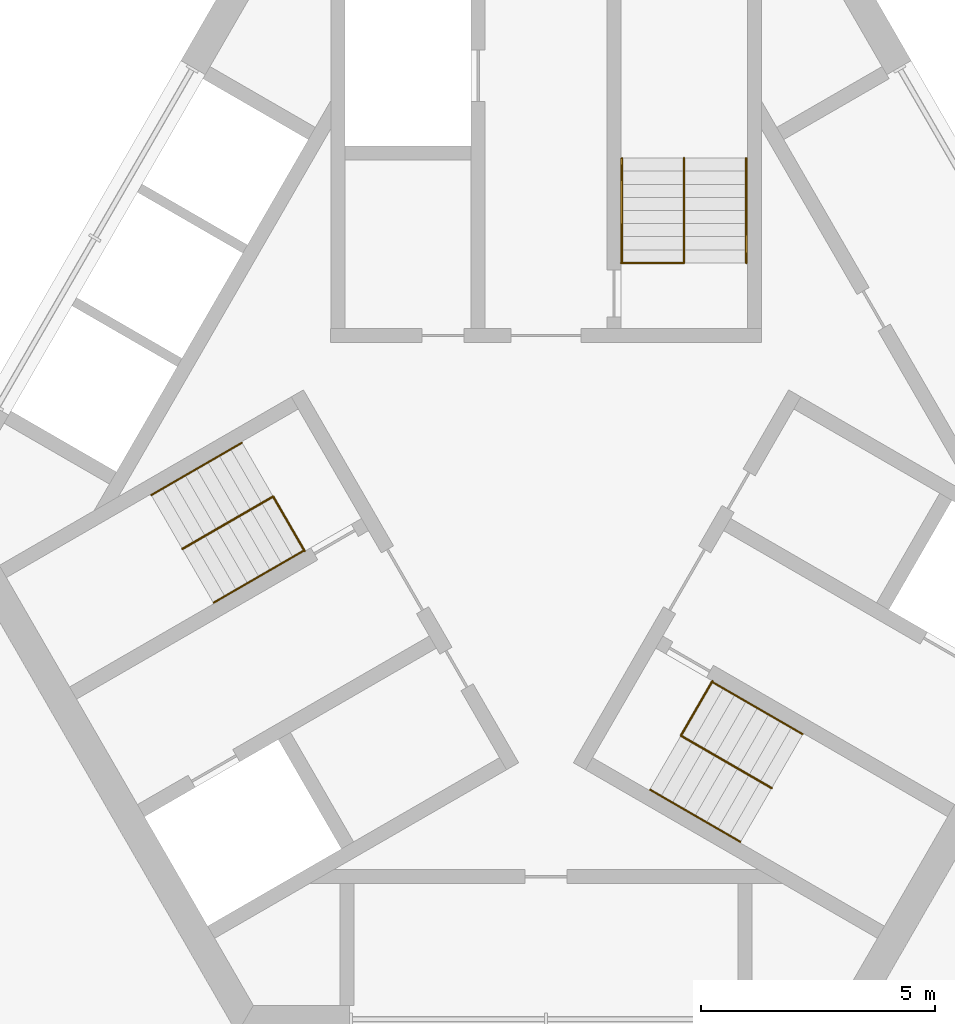
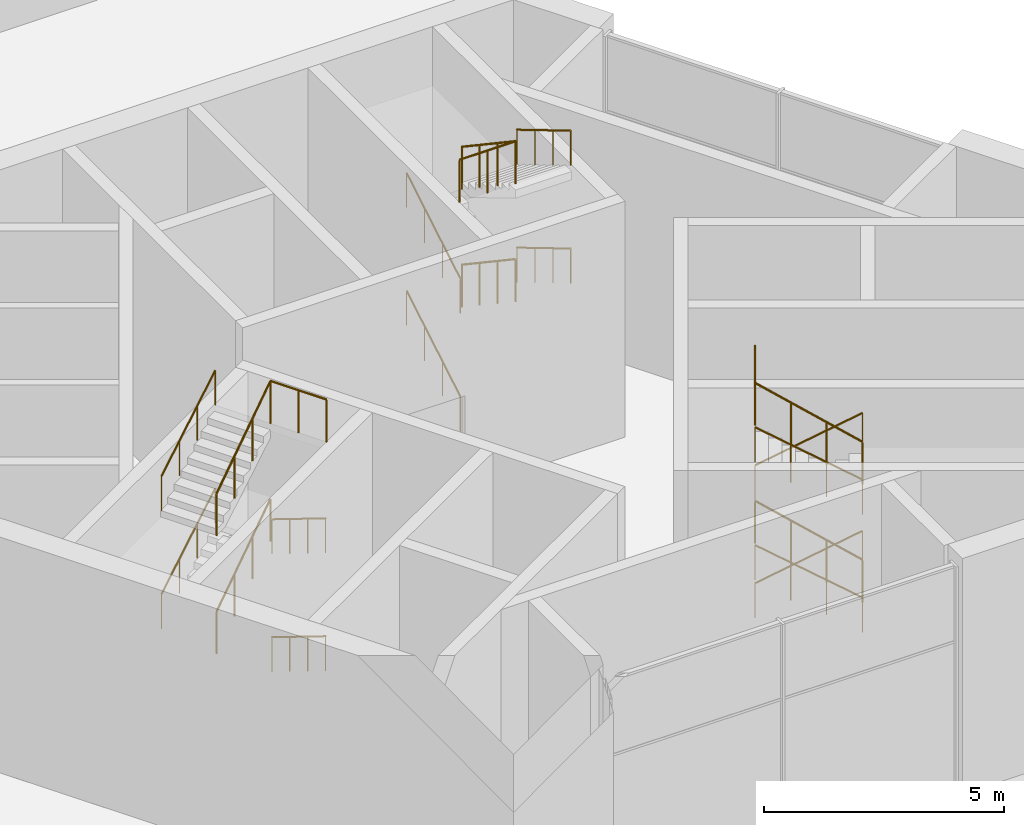
# One storey, part 5 of 5: 21 railings.
"""IFC4 building model written with IfcOpenShell, lengths in metres."""

from ifc_helpers import new_model, si_unit, direction, frame, origin, origin_2d, place, context, subcontext, project, spatial, circle, extrude, material, type_object, element, save


model = new_model("IFC4")

# Units and contexts
model_context = context("Model", 3, precision=1e-05, world=origin(), true_north=direction((0.0, 1.0)))
body_context = subcontext(model_context, "Body", "Model", "MODEL_VIEW")
ifc_project = project(units=[si_unit("LENGTHUNIT", "METRE"), si_unit("AREAUNIT", "SQUARE_METRE"), si_unit("VOLUMEUNIT", "CUBIC_METRE"), si_unit("PLANEANGLEUNIT", "RADIAN"), si_unit("MASSUNIT", "GRAM", prefix="KILO")], contexts=[model_context])

# Site, building, storey
site_placement = place(None, origin())
site = spatial("IfcSite", under=ifc_project, at=site_placement, CompositionType="ELEMENT")
building_placement = place(site_placement, origin())
building = spatial("IfcBuilding", under=site, at=building_placement, Name="Impinga Residences", CompositionType="ELEMENT")
storey_placement = place(building_placement, frame((0.0, 0.0, 295.75)))
storey = spatial("IfcBuildingStorey", under=building, at=storey_placement, Name="L74", CompositionType="ELEMENT", Elevation=295.75)

# Railings
ifc_material_1 = material(Name="Steel guard, powder coated", Category="steel")
railing_type_1 = type_object("IfcRailingType", Name="GR1 stair guard 1100", PredefinedType="GUARDRAIL", material=ifc_material_1)
for number, where, name in (
    (1, (2.949951171875, 7.27001953125, 1.5), "Stair guard GR1 ST1 L74"),
    (2, (2.949951171875, 7.27001953125, 4.5), "Stair guard GR1 ST1 L74"),
):
    element("IfcRailing", number, at=place(storey_placement, frame(where)), inside=storey, type_object=railing_type_1, Name=name, PredefinedType="GUARDRAIL", context=body_context, shape_type="SweptSolid", body=[
        extrude(circle(Radius=0.02392578125, at=origin_2d()), frame((0.0, 0.0, 1.076171875), z_axis=(0.0, -0.830906055479, 0.556412730775), x_axis=(1.0, 0.0, 0.0)), (0.0, 0.0, 1.0), 2.69580078125),
        extrude(circle(Radius=0.02099609375, at=origin_2d()), origin(), (0.0, 0.0, 1.0), 1.052001953125),
        extrude(circle(Radius=0.02099609375, at=origin_2d()), frame((0.0, -0.74658203125, 0.5)), (0.0, 0.0, 1.0), 1.052001953125),
        extrude(circle(Radius=0.02099609375, at=origin_2d()), frame((0.0, -1.493408203125, 1.0)), (0.0, 0.0, 1.0), 1.052001953125),
        extrude(circle(Radius=0.02099609375, at=origin_2d()), frame((0.0, -2.239990234375, 1.5)), (0.0, 0.0, 1.0), 1.052001953125),
    ])
railing_1_placement = place(storey_placement, frame((1.60009765625, 5.030029296875, 6.0)))
element("IfcRailing", 3, at=railing_1_placement, inside=storey, type_object=railing_type_1, Name="Stair guard GR1 ST1 top landing L74", PredefinedType="GUARDRAIL", context=body_context, shape_type="SweptSolid", body=[
    extrude(circle(Radius=0.02392578125, at=origin_2d()), frame((0.0, 0.0, 1.076171875), z_axis=(1.0, 0.0, 0.0), x_axis=(0.0, 1.0, 0.0)), (0.0, 0.0, 1.0), 1.349853515625),
    extrude(circle(Radius=0.02099609375, at=origin_2d()), origin(), (0.0, 0.0, 1.0), 1.052001953125),
    extrude(circle(Radius=0.02099609375, at=origin_2d()), frame((0.6748046875, 0.0, 0.0)), (0.0, 0.0, 1.0), 1.052001953125),
    extrude(circle(Radius=0.02099609375, at=origin_2d()), frame((1.349853515625, 0.0, 0.0)), (0.0, 0.0, 1.0), 1.052001953125),
])
for number, where, name in (
    (4, (-7.77099609375, -1.080322265625, 1.5), "Stair guard GR1 ST2 L74"),
    (5, (-7.77099609375, -1.080322265625, 4.5), "Stair guard GR1 ST2 L74"),
):
    element("IfcRailing", number, at=place(storey_placement, frame(where)), inside=storey, type_object=railing_type_1, Name=name, PredefinedType="GUARDRAIL", context=body_context, shape_type="SweptSolid", body=[
        extrude(circle(Radius=0.02392578125, at=origin_2d()), frame((0.0, 0.0, 1.076171875), z_axis=(0.719581687532, 0.415484618978, 0.556394398212), x_axis=(-0.500030632641, 0.866007717299, 0.0)), (0.0, 0.0, 1.0), 2.696044921875),
        extrude(circle(Radius=0.02099609375, at=origin_2d()), origin(), (0.0, 0.0, 1.0), 1.052001953125),
        extrude(circle(Radius=0.02099609375, at=origin_2d()), frame((0.646728515625, 0.373291015625, 0.5)), (0.0, 0.0, 1.0), 1.052001953125),
        extrude(circle(Radius=0.02099609375, at=origin_2d()), frame((1.293212890625, 0.746826171875, 1.0)), (0.0, 0.0, 1.0), 1.052001953125),
        extrude(circle(Radius=0.02099609375, at=origin_2d()), frame((1.93994140625, 1.1201171875, 1.5)), (0.0, 0.0, 1.0), 1.052001953125),
    ])
railing_2_placement = place(storey_placement, frame((-5.156005859375, -1.12939453125, 6.0)))
element("IfcRailing", 6, at=railing_2_placement, inside=storey, type_object=railing_type_1, Name="Stair guard GR1 ST2 top landing L74", PredefinedType="GUARDRAIL", context=body_context, shape_type="SweptSolid", body=[
    extrude(circle(Radius=0.02392578125, at=origin_2d()), frame((0.0, 0.0, 1.076171875), z_axis=(-0.50000943426, 0.866019956843, 0.0), x_axis=(-0.866019956843, -0.50000943426, 0.0)), (0.0, 0.0, 1.0), 1.35009765625),
    extrude(circle(Radius=0.02099609375, at=origin_2d()), origin(), (0.0, 0.0, 1.0), 1.052001953125),
    extrude(circle(Radius=0.02099609375, at=origin_2d()), frame((-0.33740234375, 0.58447265625, 0.0)), (0.0, 0.0, 1.0), 1.052001953125),
    extrude(circle(Radius=0.02099609375, at=origin_2d()), frame((-0.675048828125, 1.169189453125, 0.0)), (0.0, 0.0, 1.0), 1.052001953125),
])
for number, where, name in (
    (7, (4.821044921875, -6.189697265625, 1.5), "Stair guard GR1 ST3 L74"),
    (8, (4.821044921875, -6.189697265625, 4.5), "Stair guard GR1 ST3 L74"),
):
    element("IfcRailing", number, at=place(storey_placement, frame(where)), inside=storey, type_object=railing_type_1, Name=name, PredefinedType="GUARDRAIL", context=body_context, shape_type="SweptSolid", body=[
        extrude(circle(Radius=0.02392578125, at=origin_2d()), frame((0.0, 0.0, 1.076171875), z_axis=(-0.719608760992, 0.415409688733, 0.556415331933), x_axis=(-0.49994888933, -0.866054910533, 0.0)), (0.0, 0.0, 1.0), 2.69580078125),
        extrude(circle(Radius=0.02099609375, at=origin_2d()), origin(), (0.0, 0.0, 1.0), 1.052001953125),
        extrude(circle(Radius=0.02099609375, at=origin_2d()), frame((-0.646728515625, 0.373291015625, 0.5)), (0.0, 0.0, 1.0), 1.052001953125),
        extrude(circle(Radius=0.02099609375, at=origin_2d()), frame((-1.293212890625, 0.74658203125, 1.0)), (0.0, 0.0, 1.0), 1.052001953125),
        extrude(circle(Radius=0.02099609375, at=origin_2d()), frame((-1.93994140625, 1.119873046875, 1.5)), (0.0, 0.0, 1.0), 1.052001953125),
    ])
railing_3_placement = place(storey_placement, frame((3.55615234375, -3.900634765625, 6.0)))
element("IfcRailing", 9, at=railing_3_placement, inside=storey, type_object=railing_type_1, Name="Stair guard GR1 ST3 top landing L74", PredefinedType="GUARDRAIL", context=body_context, shape_type="SweptSolid", body=[
    extrude(circle(Radius=0.02392578125, at=origin_2d()), frame((0.0, 0.0, 1.076171875), z_axis=(-0.50000943426, -0.866019956843, 0.0), x_axis=(0.866019956843, -0.50000943426, 0.0)), (0.0, 0.0, 1.0), 1.35009765625),
    extrude(circle(Radius=0.02099609375, at=origin_2d()), origin(), (0.0, 0.0, 1.0), 1.052001953125),
    extrude(circle(Radius=0.02099609375, at=origin_2d()), frame((-0.33740234375, -0.58447265625, 0.0)), (0.0, 0.0, 1.0), 1.052001953125),
    extrude(circle(Radius=0.02099609375, at=origin_2d()), frame((-0.675048828125, -1.169189453125, 0.0)), (0.0, 0.0, 1.0), 1.052001953125),
])
ifc_material_2 = material(Name="Steel handrail tube 42 mm, powder coated", Category="steel")
railing_type_2 = type_object("IfcRailingType", Name="HR1 stair handrail, 42 mm steel tube, 900 above the pitch line", PredefinedType="HANDRAIL", material=ifc_material_2)
railing_4_placement = place(storey_placement, frame((1.62109375, 5.030029296875, 0.166748046875)))
element("IfcRailing", 10, at=railing_4_placement, inside=storey, type_object=railing_type_2, Name="Stair handrail HR1 ST1 L74", PredefinedType="HANDRAIL", context=body_context, shape_type="SweptSolid", body=[
    extrude(circle(Radius=0.02099609375, at=origin_2d()), frame((0.0, 0.0, 0.87890625), z_axis=(0.0, 0.859305625298, 0.511462454469), x_axis=(-1.0, 0.0, 0.0)), (0.0, 0.0, 1.0), 2.606689453125),
    extrude(circle(Radius=0.012451171875, at=origin_2d()), origin(), (0.0, 0.0, 1.0), 0.85791015625),
    extrude(circle(Radius=0.012451171875, at=origin_2d()), frame((0.0, 0.74658203125, 0.4443359375)), (0.0, 0.0, 1.0), 0.85791015625),
    extrude(circle(Radius=0.012451171875, at=origin_2d()), frame((0.0, 1.493408203125, 0.888916015625)), (0.0, 0.0, 1.0), 0.85791015625),
    extrude(circle(Radius=0.012451171875, at=origin_2d()), frame((0.0, 2.239990234375, 1.333251953125)), (0.0, 0.0, 1.0), 0.85791015625),
])
railing_5_placement = place(storey_placement, frame((4.279052734375, 7.27001953125, 1.666748046875)))
element("IfcRailing", 11, at=railing_5_placement, inside=storey, type_object=railing_type_2, Name="Stair handrail HR1 ST1 L74", PredefinedType="HANDRAIL", context=body_context, shape_type="SweptSolid", body=[
    extrude(circle(Radius=0.02099609375, at=origin_2d()), frame((0.0, 0.0, 0.87890625), z_axis=(0.0, -0.859305625298, 0.511462454469), x_axis=(1.0, 0.0, 0.0)), (0.0, 0.0, 1.0), 2.606689453125),
    extrude(circle(Radius=0.012451171875, at=origin_2d()), origin(), (0.0, 0.0, 1.0), 0.85791015625),
    extrude(circle(Radius=0.012451171875, at=origin_2d()), frame((0.0, -0.74658203125, 0.4443359375)), (0.0, 0.0, 1.0), 0.85791015625),
    extrude(circle(Radius=0.012451171875, at=origin_2d()), frame((0.0, -1.493408203125, 0.888916015625)), (0.0, 0.0, 1.0), 0.85791015625),
    extrude(circle(Radius=0.012451171875, at=origin_2d()), frame((0.0, -2.239990234375, 1.333251953125)), (0.0, 0.0, 1.0), 0.85791015625),
])
railing_6_placement = place(storey_placement, frame((1.62109375, 5.030029296875, 3.166748046875)))
element("IfcRailing", 12, at=railing_6_placement, inside=storey, type_object=railing_type_2, Name="Stair handrail HR1 ST1 L74", PredefinedType="HANDRAIL", context=body_context, shape_type="SweptSolid", body=[
    extrude(circle(Radius=0.02099609375, at=origin_2d()), frame((0.0, 0.0, 0.87890625), z_axis=(0.0, 0.859305625298, 0.511462454469), x_axis=(-1.0, 0.0, 0.0)), (0.0, 0.0, 1.0), 2.606689453125),
    extrude(circle(Radius=0.012451171875, at=origin_2d()), origin(), (0.0, 0.0, 1.0), 0.85791015625),
    extrude(circle(Radius=0.012451171875, at=origin_2d()), frame((0.0, 0.74658203125, 0.4443359375)), (0.0, 0.0, 1.0), 0.85791015625),
    extrude(circle(Radius=0.012451171875, at=origin_2d()), frame((0.0, 1.493408203125, 0.888916015625)), (0.0, 0.0, 1.0), 0.85791015625),
    extrude(circle(Radius=0.012451171875, at=origin_2d()), frame((0.0, 2.239990234375, 1.333251953125)), (0.0, 0.0, 1.0), 0.85791015625),
])
railing_7_placement = place(storey_placement, frame((4.279052734375, 7.27001953125, 4.666748046875)))
element("IfcRailing", 13, at=railing_7_placement, inside=storey, type_object=railing_type_2, Name="Stair handrail HR1 ST1 L74", PredefinedType="HANDRAIL", context=body_context, shape_type="SweptSolid", body=[
    extrude(circle(Radius=0.02099609375, at=origin_2d()), frame((0.0, 0.0, 0.87890625), z_axis=(0.0, -0.859305625298, 0.511462454469), x_axis=(1.0, 0.0, 0.0)), (0.0, 0.0, 1.0), 2.606689453125),
    extrude(circle(Radius=0.012451171875, at=origin_2d()), origin(), (0.0, 0.0, 1.0), 0.85791015625),
    extrude(circle(Radius=0.012451171875, at=origin_2d()), frame((0.0, -0.74658203125, 0.4443359375)), (0.0, 0.0, 1.0), 0.85791015625),
    extrude(circle(Radius=0.012451171875, at=origin_2d()), frame((0.0, -1.493408203125, 0.888916015625)), (0.0, 0.0, 1.0), 0.85791015625),
    extrude(circle(Radius=0.012451171875, at=origin_2d()), frame((0.0, -2.239990234375, 1.333251953125)), (0.0, 0.0, 1.0), 0.85791015625),
])
railing_8_placement = place(storey_placement, frame((-5.16650390625, -1.111083984375, 0.166748046875)))
element("IfcRailing", 14, at=railing_8_placement, inside=storey, type_object=railing_type_2, Name="Stair handrail HR1 ST2 L74", PredefinedType="HANDRAIL", context=body_context, shape_type="SweptSolid", body=[
    extrude(circle(Radius=0.02099609375, at=origin_2d()), frame((0.0, 0.0, 0.87890625), z_axis=(-0.744174592847, -0.429684499369, 0.511444431354), x_axis=(0.500030632641, -0.866007717299, 0.0)), (0.0, 0.0, 1.0), 2.60693359375),
    extrude(circle(Radius=0.012451171875, at=origin_2d()), origin(), (0.0, 0.0, 1.0), 0.85791015625),
    extrude(circle(Radius=0.012451171875, at=origin_2d()), frame((-0.646728515625, -0.373291015625, 0.4443359375)), (0.0, 0.0, 1.0), 0.85791015625),
    extrude(circle(Radius=0.012451171875, at=origin_2d()), frame((-1.293212890625, -0.746826171875, 0.888916015625)), (0.0, 0.0, 1.0), 0.85791015625),
    extrude(circle(Radius=0.012451171875, at=origin_2d()), frame((-1.93994140625, -1.1201171875, 1.333251953125)), (0.0, 0.0, 1.0), 0.85791015625),
])
railing_9_placement = place(storey_placement, frame((-8.435546875, 0.07080078125, 1.666748046875)))
element("IfcRailing", 15, at=railing_9_placement, inside=storey, type_object=railing_type_2, Name="Stair handrail HR1 ST2 L74", PredefinedType="HANDRAIL", context=body_context, shape_type="SweptSolid", body=[
    extrude(circle(Radius=0.02099609375, at=origin_2d()), frame((0.0, 0.0, 0.87890625), z_axis=(0.744204538217, 0.429608131991, 0.51146501173), x_axis=(-0.49994888933, 0.866054910533, 0.0)), (0.0, 0.0, 1.0), 2.606689453125),
    extrude(circle(Radius=0.012451171875, at=origin_2d()), origin(), (0.0, 0.0, 1.0), 0.85791015625),
    extrude(circle(Radius=0.012451171875, at=origin_2d()), frame((0.646728515625, 0.373291015625, 0.4443359375)), (0.0, 0.0, 1.0), 0.85791015625),
    extrude(circle(Radius=0.012451171875, at=origin_2d()), frame((1.293212890625, 0.74658203125, 0.888916015625)), (0.0, 0.0, 1.0), 0.85791015625),
    extrude(circle(Radius=0.012451171875, at=origin_2d()), frame((1.93994140625, 1.119873046875, 1.333251953125)), (0.0, 0.0, 1.0), 0.85791015625),
])
railing_10_placement = place(storey_placement, frame((-5.16650390625, -1.111083984375, 3.166748046875)))
element("IfcRailing", 16, at=railing_10_placement, inside=storey, type_object=railing_type_2, Name="Stair handrail HR1 ST2 L74", PredefinedType="HANDRAIL", context=body_context, shape_type="SweptSolid", body=[
    extrude(circle(Radius=0.02099609375, at=origin_2d()), frame((0.0, 0.0, 0.87890625), z_axis=(-0.744174592847, -0.429684499369, 0.511444431354), x_axis=(0.500030632641, -0.866007717299, 0.0)), (0.0, 0.0, 1.0), 2.60693359375),
    extrude(circle(Radius=0.012451171875, at=origin_2d()), origin(), (0.0, 0.0, 1.0), 0.85791015625),
    extrude(circle(Radius=0.012451171875, at=origin_2d()), frame((-0.646728515625, -0.373291015625, 0.4443359375)), (0.0, 0.0, 1.0), 0.85791015625),
    extrude(circle(Radius=0.012451171875, at=origin_2d()), frame((-1.293212890625, -0.746826171875, 0.888916015625)), (0.0, 0.0, 1.0), 0.85791015625),
    extrude(circle(Radius=0.012451171875, at=origin_2d()), frame((-1.93994140625, -1.1201171875, 1.333251953125)), (0.0, 0.0, 1.0), 0.85791015625),
])
railing_11_placement = place(storey_placement, frame((-8.435546875, 0.07080078125, 4.666748046875)))
element("IfcRailing", 17, at=railing_11_placement, inside=storey, type_object=railing_type_2, Name="Stair handrail HR1 ST2 L74", PredefinedType="HANDRAIL", context=body_context, shape_type="SweptSolid", body=[
    extrude(circle(Radius=0.02099609375, at=origin_2d()), frame((0.0, 0.0, 0.87890625), z_axis=(0.744204538217, 0.429608131991, 0.51146501173), x_axis=(-0.49994888933, 0.866054910533, 0.0)), (0.0, 0.0, 1.0), 2.606689453125),
    extrude(circle(Radius=0.012451171875, at=origin_2d()), origin(), (0.0, 0.0, 1.0), 0.85791015625),
    extrude(circle(Radius=0.012451171875, at=origin_2d()), frame((0.646728515625, 0.373291015625, 0.4443359375)), (0.0, 0.0, 1.0), 0.85791015625),
    extrude(circle(Radius=0.012451171875, at=origin_2d()), frame((1.293212890625, 0.74658203125, 0.888916015625)), (0.0, 0.0, 1.0), 0.85791015625),
    extrude(circle(Radius=0.012451171875, at=origin_2d()), frame((1.93994140625, 1.119873046875, 1.333251953125)), (0.0, 0.0, 1.0), 0.85791015625),
])
railing_12_placement = place(storey_placement, frame((3.545654296875, -3.9189453125, 0.166748046875)))
element("IfcRailing", 18, at=railing_12_placement, inside=storey, type_object=railing_type_2, Name="Stair handrail HR1 ST3 L74", PredefinedType="HANDRAIL", context=body_context, shape_type="SweptSolid", body=[
    extrude(circle(Radius=0.02099609375, at=origin_2d()), frame((0.0, 0.0, 0.87890625), z_axis=(0.744204538217, -0.429608131991, 0.51146501173), x_axis=(0.49994888933, 0.866054910533, 0.0)), (0.0, 0.0, 1.0), 2.606689453125),
    extrude(circle(Radius=0.012451171875, at=origin_2d()), origin(), (0.0, 0.0, 1.0), 0.85791015625),
    extrude(circle(Radius=0.012451171875, at=origin_2d()), frame((0.646728515625, -0.373291015625, 0.4443359375)), (0.0, 0.0, 1.0), 0.85791015625),
    extrude(circle(Radius=0.012451171875, at=origin_2d()), frame((1.293212890625, -0.74658203125, 0.888916015625)), (0.0, 0.0, 1.0), 0.85791015625),
    extrude(circle(Radius=0.012451171875, at=origin_2d()), frame((1.93994140625, -1.119873046875, 1.333251953125)), (0.0, 0.0, 1.0), 0.85791015625),
])
railing_13_placement = place(storey_placement, frame((4.156494140625, -7.3408203125, 1.666748046875)))
element("IfcRailing", 19, at=railing_13_placement, inside=storey, type_object=railing_type_2, Name="Stair handrail HR1 ST3 L74", PredefinedType="HANDRAIL", context=body_context, shape_type="SweptSolid", body=[
    extrude(circle(Radius=0.02099609375, at=origin_2d()), frame((0.0, 0.0, 0.87890625), z_axis=(-0.744174592847, 0.429684499369, 0.511444431354), x_axis=(-0.500030632641, -0.866007717299, 0.0)), (0.0, 0.0, 1.0), 2.60693359375),
    extrude(circle(Radius=0.012451171875, at=origin_2d()), origin(), (0.0, 0.0, 1.0), 0.85791015625),
    extrude(circle(Radius=0.012451171875, at=origin_2d()), frame((-0.646728515625, 0.373291015625, 0.4443359375)), (0.0, 0.0, 1.0), 0.85791015625),
    extrude(circle(Radius=0.012451171875, at=origin_2d()), frame((-1.293212890625, 0.746826171875, 0.888916015625)), (0.0, 0.0, 1.0), 0.85791015625),
    extrude(circle(Radius=0.012451171875, at=origin_2d()), frame((-1.93994140625, 1.1201171875, 1.333251953125)), (0.0, 0.0, 1.0), 0.85791015625),
])
railing_14_placement = place(storey_placement, frame((3.545654296875, -3.9189453125, 3.166748046875)))
element("IfcRailing", 20, at=railing_14_placement, inside=storey, type_object=railing_type_2, Name="Stair handrail HR1 ST3 L74", PredefinedType="HANDRAIL", context=body_context, shape_type="SweptSolid", body=[
    extrude(circle(Radius=0.02099609375, at=origin_2d()), frame((0.0, 0.0, 0.87890625), z_axis=(0.744204538217, -0.429608131991, 0.51146501173), x_axis=(0.49994888933, 0.866054910533, 0.0)), (0.0, 0.0, 1.0), 2.606689453125),
    extrude(circle(Radius=0.012451171875, at=origin_2d()), origin(), (0.0, 0.0, 1.0), 0.85791015625),
    extrude(circle(Radius=0.012451171875, at=origin_2d()), frame((0.646728515625, -0.373291015625, 0.4443359375)), (0.0, 0.0, 1.0), 0.85791015625),
    extrude(circle(Radius=0.012451171875, at=origin_2d()), frame((1.293212890625, -0.74658203125, 0.888916015625)), (0.0, 0.0, 1.0), 0.85791015625),
    extrude(circle(Radius=0.012451171875, at=origin_2d()), frame((1.93994140625, -1.119873046875, 1.333251953125)), (0.0, 0.0, 1.0), 0.85791015625),
])
railing_15_placement = place(storey_placement, frame((4.156494140625, -7.3408203125, 4.666748046875)))
element("IfcRailing", 21, at=railing_15_placement, inside=storey, type_object=railing_type_2, Name="Stair handrail HR1 ST3 L74", PredefinedType="HANDRAIL", context=body_context, shape_type="SweptSolid", body=[
    extrude(circle(Radius=0.02099609375, at=origin_2d()), frame((0.0, 0.0, 0.87890625), z_axis=(-0.744174592847, 0.429684499369, 0.511444431354), x_axis=(-0.500030632641, -0.866007717299, 0.0)), (0.0, 0.0, 1.0), 2.60693359375),
    extrude(circle(Radius=0.012451171875, at=origin_2d()), origin(), (0.0, 0.0, 1.0), 0.85791015625),
    extrude(circle(Radius=0.012451171875, at=origin_2d()), frame((-0.646728515625, 0.373291015625, 0.4443359375)), (0.0, 0.0, 1.0), 0.85791015625),
    extrude(circle(Radius=0.012451171875, at=origin_2d()), frame((-1.293212890625, 0.746826171875, 0.888916015625)), (0.0, 0.0, 1.0), 0.85791015625),
    extrude(circle(Radius=0.012451171875, at=origin_2d()), frame((-1.93994140625, 1.1201171875, 1.333251953125)), (0.0, 0.0, 1.0), 0.85791015625),
])

save(model, "model.ifc")
